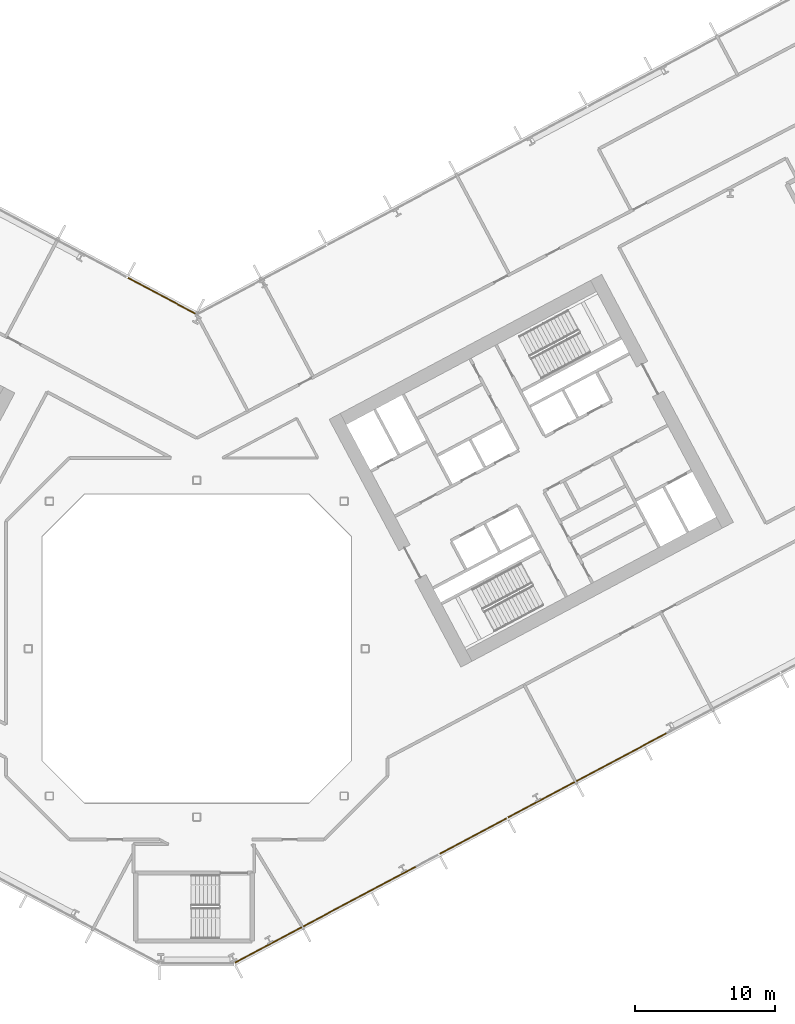
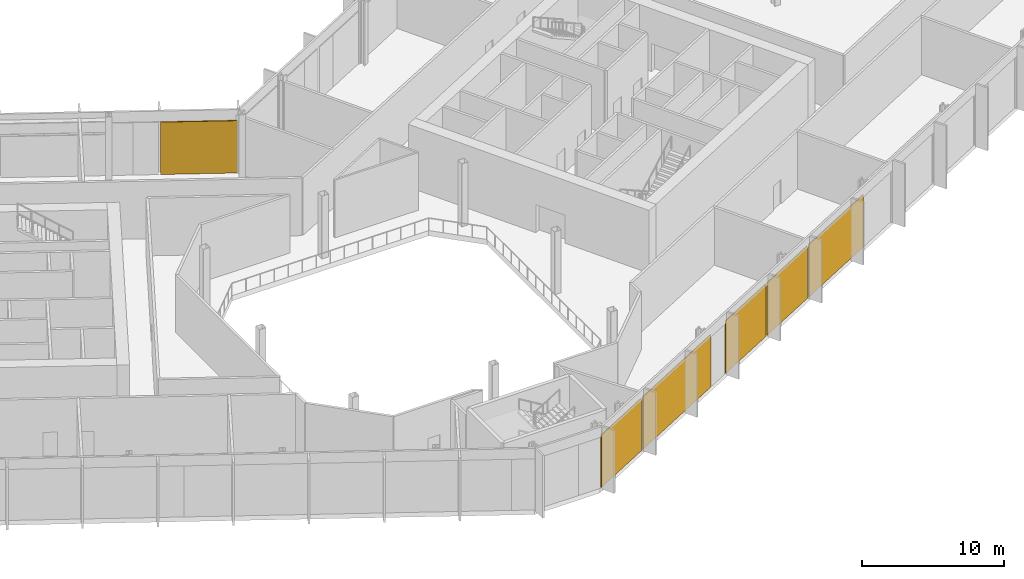
# One storey, part 26 of 32: 6 coverings, 2 elements without a shape of their own.
"""IFC4 building model written with IfcOpenShell, lengths in metres."""

from ifc_helpers import new_model, si_unit, direction, frame, origin, origin_2d, place, context, subcontext, project, spatial, rectangle, extrude, material, layer, layer_set, type_object, element, aggregate, save


model = new_model("IFC4")

# Units and contexts
model_context = context("Model", 3, precision=1e-05, world=origin(), true_north=direction((0.0, 1.0)))
body_context = subcontext(model_context, "Body", "Model", "MODEL_VIEW")
ifc_project = project(units=[si_unit("LENGTHUNIT", "METRE"), si_unit("AREAUNIT", "SQUARE_METRE"), si_unit("VOLUMEUNIT", "CUBIC_METRE"), si_unit("PLANEANGLEUNIT", "RADIAN"), si_unit("MASSUNIT", "GRAM", prefix="KILO")], contexts=[model_context])

# Site, building, storey
site_placement = place(None, origin())
site = spatial("IfcSite", under=ifc_project, at=site_placement, CompositionType="ELEMENT")
building_placement = place(site_placement, origin())
building = spatial("IfcBuilding", under=site, at=building_placement, Name="Cormorant Relay Tower", CompositionType="ELEMENT")
storey_placement = place(building_placement, frame((0.0, 0.0, 17.60009765625)))
storey = spatial("IfcBuildingStorey", under=building, at=storey_placement, Name="L03", CompositionType="ELEMENT", Elevation=17.60009765625)

# Curtain wall, coverings
ifc_material_1 = material(Name="Aluminium 6063-T6 anodised bronze", Category="aluminium")
ifc_layer_1 = layer(ifc_material_1, 0.235107421875)
ifc_layer_set_1 = layer_set([ifc_layer_1], Name="CW6 data hall curtain wall with mineral wool panels")
curtain_wall_type = type_object("IfcCurtainWallType", Name="CW6 data hall curtain wall with mineral wool panels", PredefinedType="NOTDEFINED", material=ifc_layer_set_1)
curtain_wall_1_placement = place(storey_placement, origin())
curtain_wall_1 = element("IfcCurtainWall", 1, at=curtain_wall_1_placement, inside=storey, type_object=curtain_wall_type, Name="CW6 curtain wall 2", PredefinedType="NOTDEFINED")
ifc_material_2 = material(Name="Mineral wool cored anodised bronze aluminium cassette panel", Category="aluminium")
ifc_layer_2 = layer(ifc_material_2, 0.074951171875)
ifc_layer_set_2 = layer_set([ifc_layer_2], Name="CW6 mineral wool cassette panel 75")
covering_type = type_object("IfcCoveringType", Name="CW6 mineral wool cassette panel 75", PredefinedType="CLADDING", material=ifc_layer_set_2)
covering_1_placement = place(storey_placement, frame((5.099853515625, -21.11474609375, 0.0), z_axis=(0.0, 0.0, 1.0), x_axis=(0.882947592859, 0.469471562786, 0.0)))
covering_1 = element("IfcCovering", 2, at=covering_1_placement, type_object=covering_type, Name="CW6 panel S00", PredefinedType="CLADDING", context=body_context, shape_type="SweptSolid", body=[
    extrude(rectangle(XDim=5.36181640625, YDim=0.074951171875, at=origin_2d()), origin(), (0.0, 0.0, 1.0), 4.5),
])
covering_2_placement = place(storey_placement, frame((11.60498046875, -17.656005859375, 0.0), z_axis=(0.0, 0.0, 1.0), x_axis=(0.882947592859, 0.469471562786, 0.0)))
covering_2 = element("IfcCovering", 3, at=covering_2_placement, type_object=covering_type, Name="CW6 panel S01", PredefinedType="CLADDING", context=body_context, shape_type="SweptSolid", body=[
    extrude(rectangle(XDim=9.07373046875, YDim=0.074951171875, at=origin_2d()), origin(), (0.0, 0.0, 1.0), 4.5),
])
covering_3_placement = place(storey_placement, frame((19.69970703125, -13.351806640625, 0.0), z_axis=(0.0, 0.0, 1.0), x_axis=(0.882947592859, 0.469471562786, 0.0)))
covering_3 = element("IfcCovering", 4, at=covering_3_placement, type_object=covering_type, Name="CW6 panel S03", PredefinedType="CLADDING", context=body_context, shape_type="SweptSolid", body=[
    extrude(rectangle(XDim=5.36181640625, YDim=0.074951171875, at=origin_2d()), origin(), (0.0, 0.0, 1.0), 4.5),
])
covering_4_placement = place(storey_placement, frame((24.56640625, -10.76416015625, 0.0), z_axis=(0.0, 0.0, 1.0), x_axis=(0.882947592859, 0.469471562786, 0.0)))
covering_4 = element("IfcCovering", 5, at=covering_4_placement, type_object=covering_type, Name="CW6 panel S04", PredefinedType="CLADDING", context=body_context, shape_type="SweptSolid", body=[
    extrude(rectangle(XDim=5.36181640625, YDim=0.074951171875, at=origin_2d()), origin(), (0.0, 0.0, 1.0), 4.5),
])
covering_5_placement = place(storey_placement, frame((30.277099609375, -7.727783203125, 0.0), z_axis=(0.0, 0.0, 1.0), x_axis=(0.882947592859, 0.469471562786, 0.0)))
covering_5 = element("IfcCovering", 6, at=covering_5_placement, type_object=covering_type, Name="CW6 panel S05", PredefinedType="CLADDING", context=body_context, shape_type="SweptSolid", body=[
    extrude(rectangle(XDim=7.273681640625, YDim=0.074951171875, at=origin_2d()), origin(), (0.0, 0.0, 1.0), 4.5),
])
aggregate(curtain_wall_1, [covering_1, covering_2, covering_3, covering_4, covering_5])

# Curtain wall, covering
curtain_wall_2_placement = place(storey_placement, origin())
curtain_wall_2 = element("IfcCurtainWall", 7, at=curtain_wall_2_placement, inside=storey, type_object=curtain_wall_type, Name="CW6 curtain wall 7", PredefinedType="NOTDEFINED")
covering_6_placement = place(storey_placement, frame((-2.5048828125, 25.158447265625, 0.0), z_axis=(0.0, 0.0, 1.0), x_axis=(-0.882947592859, 0.469471562786, 0.0)))
covering_6 = element("IfcCovering", 8, at=covering_6_placement, type_object=covering_type, Name="CW6 panel S00", PredefinedType="CLADDING", context=body_context, shape_type="SweptSolid", body=[
    extrude(rectangle(XDim=5.4140625, YDim=0.074951171875, at=origin_2d()), origin(), (0.0, 0.0, 1.0), 4.5),
])
aggregate(curtain_wall_2, [covering_6])

save(model, "model.ifc")
